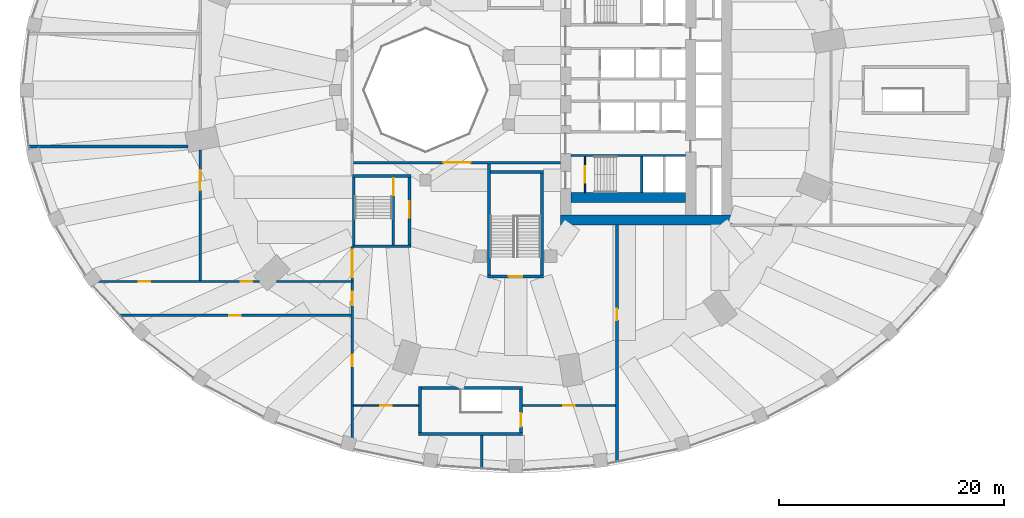
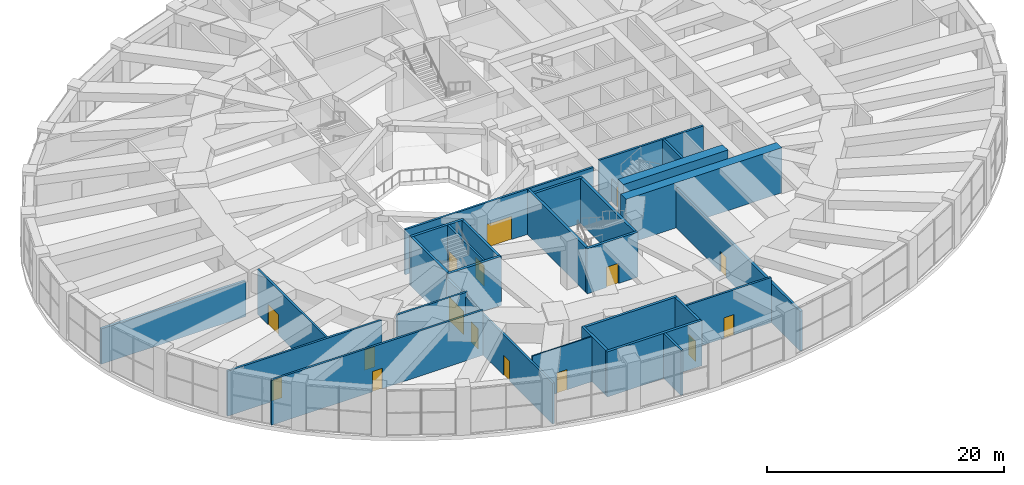
# One storey, part 21 of 30: 30 walls, 16 doors, 16 openings.
"""IFC4 building model written with IfcOpenShell, lengths in metres."""

from ifc_helpers import new_model, si_unit, direction, frame, frame_2d, origin, place, context, subcontext, project, spatial, rectangle, extrude, material, layer, layer_set, type_object, element, fill, save


model = new_model("IFC4")

# Units and contexts
model_context = context("Model", 3, precision=1e-05, world=origin(), true_north=direction((0.0, 1.0)))
body_context = subcontext(model_context, "Body", "Model", "MODEL_VIEW")
ifc_project = project(units=[si_unit("LENGTHUNIT", "METRE"), si_unit("AREAUNIT", "SQUARE_METRE"), si_unit("VOLUMEUNIT", "CUBIC_METRE"), si_unit("PLANEANGLEUNIT", "RADIAN"), si_unit("MASSUNIT", "GRAM", prefix="KILO")], contexts=[model_context])

# Site, building, storey
site_placement = place(None, origin())
site = spatial("IfcSite", under=ifc_project, at=site_placement, CompositionType="ELEMENT")
building_placement = place(site_placement, origin())
building = spatial("IfcBuilding", under=site, at=building_placement, Name="Taillehof Tower", CompositionType="ELEMENT")
storey_placement = place(building_placement, frame((0.0, 0.0, 12.5)))
storey = spatial("IfcBuildingStorey", under=building, at=storey_placement, Name="L02", CompositionType="ELEMENT", Elevation=12.5)

# Wall, opening, door
ifc_material_1 = material(Name="Calcium silicate blockwork", Category="masonry")
ifc_layer_1 = layer(ifc_material_1, 0.199951171875)
ifc_layer_set_1 = layer_set([ifc_layer_1], Name="Compartment wall EI 60 200 mm")
wall_type_1 = type_object("IfcWallType", Name="Compartment wall EI 60 200 mm", PredefinedType="PARTITIONING", material=ifc_layer_set_1)
wall_1_placement = place(storey_placement, frame((0.610107421875, -28.0, 0.0), z_axis=(0.0, 0.0, 1.0), x_axis=(1.0, 0.0, 0.0)))
wall_1 = element("IfcWall", 1, at=wall_1_placement, inside=storey, type_object=wall_type_1, Name="Wall L02-17 / L02-28", PredefinedType="PARTITIONING", context=body_context, shape_type="SweptSolid", body=[
    extrude(rectangle(XDim=8.264892578125, YDim=0.199951171875, at=frame_2d((4.13232421875, 0.0))), origin(), (0.0, 0.0, 1.0), 4.64990234375),
])
opening_1_placement = place(wall_1_placement, frame((3.633056640625, 0.0, 0.0)))
opening_1 = element("IfcOpeningElement", 2, at=opening_1_placement, cuts=wall_1, Name="Opening D0243", PredefinedType="OPENING", context=body_context, shape_type="SweptSolid", body=[
    extrude(rectangle(XDim=1.0, YDim=2.10009765625, at=frame_2d((0.5, 1.050048828125))), frame((0.0, 0.10986328125, 0.0), z_axis=(0.0, -1.0, 0.0), x_axis=(1.0, 0.0, 0.0)), (0.0, 0.0, 1.0), 0.219970703125),
])
ifc_material_2 = material(Name="Hollow metal door set")
door_type_1 = type_object("IfcDoorType", Name="Single door 1000 x 2100 FD60S", OperationType="SINGLE_SWING_LEFT", PredefinedType="DOOR", material=ifc_material_2)
door_1_placement = place(opening_1_placement, origin())
door_1 = element("IfcDoor", 3, at=door_1_placement, inside=storey, type_object=door_type_1, Name="Door D0243", OperationType="SINGLE_SWING_RIGHT", OverallHeight=2.10009765625, OverallWidth=1.0, PredefinedType="DOOR", context=body_context, shape_type="SweptSolid", body=[
    extrude(rectangle(XDim=1.0, YDim=2.10009765625, at=frame_2d((0.5, 1.050048828125))), frame((0.0, 0.02490234375, 0.0), z_axis=(0.0, -1.0, 0.0), x_axis=(1.0, 0.0, 0.0)), (0.0, 0.0, 1.0), 0.050048828125),
])
fill(opening_1, door_1)

wall_2_placement = place(storey_placement, frame((-35.2314453125, -20.0, 0.0), z_axis=(0.0, 0.0, 1.0), x_axis=(1.0, 0.0, 0.0)))
wall_2 = element("IfcWall", 4, at=wall_2_placement, inside=storey, type_object=wall_type_1, Name="Wall L02-23 / L02-25", PredefinedType="PARTITIONING", context=body_context, shape_type="SweptSolid", body=[
    extrude(rectangle(XDim=20.63134765625, YDim=0.199951171875, at=frame_2d((10.315673828125, 0.0))), origin(), (0.0, 0.0, 1.0), 4.64990234375),
])
opening_2_placement = place(wall_2_placement, frame((9.8154296875, 0.0, 0.0)))
opening_2 = element("IfcOpeningElement", 5, at=opening_2_placement, cuts=wall_2, Name="Opening D0245", PredefinedType="OPENING", context=body_context, shape_type="SweptSolid", body=[
    extrude(rectangle(XDim=1.0, YDim=2.10009765625, at=frame_2d((0.5, 1.050048828125))), frame((0.0, 0.10986328125, 0.0), z_axis=(0.0, -1.0, 0.0), x_axis=(1.0, 0.0, 0.0)), (0.0, 0.0, 1.0), 0.219970703125),
])
door_2_placement = place(opening_2_placement, origin())
door_2 = element("IfcDoor", 6, at=door_2_placement, inside=storey, type_object=door_type_1, Name="Door D0245", OperationType="SINGLE_SWING_RIGHT", OverallHeight=2.10009765625, OverallWidth=1.0, PredefinedType="DOOR", context=body_context, shape_type="SweptSolid", body=[
    extrude(rectangle(XDim=1.0, YDim=2.10009765625, at=frame_2d((0.5, 1.050048828125))), frame((0.0, 0.02490234375, 0.0), z_axis=(0.0, -1.0, 0.0), x_axis=(1.0, 0.0, 0.0)), (0.0, 0.0, 1.0), 0.050048828125),
])
fill(opening_2, door_2)

# Wall, openings, doors
wall_3_placement = place(storey_placement, frame((-37.808349609375, -17.0, 0.0), z_axis=(0.0, 0.0, 1.0), x_axis=(1.0, 0.0, 0.0)))
wall_3 = element("IfcWall", 7, at=wall_3_placement, inside=storey, type_object=wall_type_1, Name="Wall L02-18 / L02-23", PredefinedType="PARTITIONING", context=body_context, shape_type="SweptSolid", body=[
    extrude(rectangle(XDim=15.066650390625, YDim=0.199951171875, at=frame_2d((7.533203125, 0.0))), origin(), (0.0, 0.0, 1.0), 4.64990234375),
])
opening_3_placement = place(wall_3_placement, frame((4.3544921875, 0.0, 0.0)))
opening_3 = element("IfcOpeningElement", 8, at=opening_3_placement, cuts=wall_3, Name="Opening D0248", PredefinedType="OPENING", context=body_context, shape_type="SweptSolid", body=[
    extrude(rectangle(XDim=1.0, YDim=2.10009765625, at=frame_2d((0.5, 1.050048828125))), frame((0.0, 0.10986328125, 0.0), z_axis=(0.0, -1.0, 0.0), x_axis=(1.0, 0.0, 0.0)), (0.0, 0.0, 1.0), 0.219970703125),
])
opening_4_placement = place(wall_3_placement, frame((13.41650390625, 0.0, 0.0)))
opening_4 = element("IfcOpeningElement", 9, at=opening_4_placement, cuts=wall_3, Name="Opening D0249", PredefinedType="OPENING", context=body_context, shape_type="SweptSolid", body=[
    extrude(rectangle(XDim=1.0, YDim=2.10009765625, at=frame_2d((0.5, 1.050048828125))), frame((0.0, 0.10986328125, 0.0), z_axis=(0.0, -1.0, 0.0), x_axis=(1.0, 0.0, 0.0)), (0.0, 0.0, 1.0), 0.219970703125),
])
door_3_placement = place(opening_3_placement, origin())
door_3 = element("IfcDoor", 10, at=door_3_placement, inside=storey, type_object=door_type_1, Name="Door D0248", OperationType="SINGLE_SWING_RIGHT", OverallHeight=2.10009765625, OverallWidth=1.0, PredefinedType="DOOR", context=body_context, shape_type="SweptSolid", body=[
    extrude(rectangle(XDim=1.0, YDim=2.10009765625, at=frame_2d((0.5, 1.050048828125))), frame((0.0, 0.02490234375, 0.0), z_axis=(0.0, -1.0, 0.0), x_axis=(1.0, 0.0, 0.0)), (0.0, 0.0, 1.0), 0.050048828125),
])
fill(opening_3, door_3)
door_4_placement = place(opening_4_placement, origin())
door_4 = element("IfcDoor", 11, at=door_4_placement, inside=storey, type_object=door_type_1, Name="Door D0249", OperationType="SINGLE_SWING_LEFT", OverallHeight=2.10009765625, OverallWidth=1.0, PredefinedType="DOOR", context=body_context, shape_type="SweptSolid", body=[
    extrude(rectangle(XDim=1.0, YDim=2.10009765625, at=frame_2d((0.5, 1.050048828125))), frame((0.0, 0.02490234375, 0.0), z_axis=(0.0, -1.0, 0.0), x_axis=(1.0, 0.0, 0.0)), (0.0, 0.0, 1.0), 0.050048828125),
])
fill(opening_4, door_4)

# Wall
wall_4_placement = place(storey_placement, frame((-21.24609375, -17.0, 0.0), z_axis=(0.0, 0.0, 1.0), x_axis=(1.0, 0.0, 0.0)))
element("IfcWall", 12, at=wall_4_placement, inside=storey, type_object=wall_type_1, Name="Wall L02-21 / L02-23", PredefinedType="PARTITIONING", context=body_context, shape_type="SweptSolid", body=[
    extrude(rectangle(XDim=6.84619140625, YDim=0.199951171875, at=frame_2d((3.423095703125, 0.0))), origin(), (0.0, 0.0, 1.0), 4.64990234375),
])

# Wall, opening, door
wall_5_placement = place(storey_placement, frame((-14.39990234375, -6.449951171875, 0.0), z_axis=(0.0, 0.0, 1.0), x_axis=(1.0, 0.0, 0.0)))
wall_5 = element("IfcWall", 13, at=wall_5_placement, inside=storey, type_object=wall_type_1, Name="Wall L02-26 / L02-28", PredefinedType="PARTITIONING", context=body_context, shape_type="SweptSolid", body=[
    extrude(rectangle(XDim=18.40185546875, YDim=0.199951171875, at=frame_2d((9.200927734375, 0.0))), origin(), (0.0, 0.0, 1.0), 4.64990234375),
])
opening_5_placement = place(wall_5_placement, frame((8.0009765625, 0.0, 0.0)))
opening_5 = element("IfcOpeningElement", 14, at=opening_5_placement, cuts=wall_5, Name="Opening D0254", PredefinedType="OPENING", context=body_context, shape_type="SweptSolid", body=[
    extrude(rectangle(XDim=2.39990234375, YDim=2.39990234375, at=frame_2d((1.199951171875, 1.199951171875))), frame((0.0, 0.10986328125, 0.0), z_axis=(0.0, -1.0, 0.0), x_axis=(1.0, 0.0, 0.0)), (0.0, 0.0, 1.0), 0.219970703125),
])
ifc_material_3 = material(Name="Glazed aluminium door set", Category="aluminium")
door_type_2 = type_object("IfcDoorType", Name="Glazed double door 2400 x 2400 FD60S", OperationType="DOUBLE_DOOR_SINGLE_SWING", PredefinedType="DOOR", material=ifc_material_3)
door_5_placement = place(opening_5_placement, origin())
door_5 = element("IfcDoor", 15, at=door_5_placement, inside=storey, type_object=door_type_2, Name="Door D0254", OperationType="DOUBLE_DOOR_SINGLE_SWING", OverallHeight=2.39990234375, OverallWidth=2.39990234375, PredefinedType="DOOR", context=body_context, shape_type="SweptSolid", body=[
    extrude(rectangle(XDim=2.39990234375, YDim=2.39990234375, at=frame_2d((1.199951171875, 1.199951171875))), frame((0.0, 0.02490234375, 0.0), z_axis=(0.0, -1.0, 0.0), x_axis=(1.0, 0.0, 0.0)), (0.0, 0.0, 1.0), 0.050048828125),
])
fill(opening_5, door_5)

wall_6_placement = place(storey_placement, frame((-28.0, -16.89990234375, 0.0), z_axis=(0.0, 0.0, 1.0), x_axis=(0.0, 1.0, 0.0)))
wall_6 = element("IfcWall", 16, at=wall_6_placement, inside=storey, type_object=wall_type_1, Name="Wall L02-18 / L02-21", PredefinedType="PARTITIONING", context=body_context, shape_type="SweptSolid", body=[
    extrude(rectangle(XDim=11.58447265625, YDim=0.199951171875, at=frame_2d((5.792236328125, 0.0))), origin(), (0.0, 0.0, 1.0), 4.64990234375),
])
opening_6_placement = place(wall_6_placement, frame((8.0, 0.0, 0.0)))
opening_6 = element("IfcOpeningElement", 17, at=opening_6_placement, cuts=wall_6, Name="Opening D0253", PredefinedType="OPENING", context=body_context, shape_type="SweptSolid", body=[
    extrude(rectangle(XDim=1.800048828125, YDim=2.10009765625, at=frame_2d((0.89990234375, 1.050048828125))), frame((0.0, 0.10986328125, 0.0), z_axis=(0.0, -1.0, 0.0), x_axis=(1.0, 0.0, 0.0)), (0.0, 0.0, 1.0), 0.219970703125),
])
ifc_material_4 = material(Name="Hollow metal door set")
door_type_3 = type_object("IfcDoorType", Name="Double door 1800 x 2100 FD60S", OperationType="DOUBLE_DOOR_SINGLE_SWING", PredefinedType="DOOR", material=ifc_material_4)
door_6_placement = place(opening_6_placement, origin())
door_6 = element("IfcDoor", 18, at=door_6_placement, inside=storey, type_object=door_type_3, Name="Door D0253", OperationType="DOUBLE_DOOR_SINGLE_SWING", OverallHeight=2.10009765625, OverallWidth=1.800048828125, PredefinedType="DOOR", context=body_context, shape_type="SweptSolid", body=[
    extrude(rectangle(XDim=1.800048828125, YDim=2.10009765625, at=frame_2d((0.89990234375, 1.050048828125))), frame((0.0, 0.02490234375, 0.0), z_axis=(0.0, -1.0, 0.0), x_axis=(1.0, 0.0, 0.0)), (0.0, 0.0, 1.0), 0.050048828125),
])
fill(opening_6, door_6)

# Wall, openings, doors
wall_7_placement = place(storey_placement, frame((-14.5, -31.802978515625, 0.0), z_axis=(0.0, 0.0, 1.0), x_axis=(0.0, 1.0, 0.0)))
wall_7 = element("IfcWall", 19, at=wall_7_placement, inside=storey, type_object=wall_type_1, Name="Wall L02-16 / L02-25", PredefinedType="PARTITIONING", context=body_context, shape_type="SweptSolid", body=[
    extrude(rectangle(XDim=14.702880859375, YDim=0.199951171875, at=frame_2d((7.3515625, 0.0))), origin(), (0.0, 0.0, 1.0), 4.199951171875),
])
opening_7_placement = place(wall_7_placement, frame((7.302978515625, 0.0, 0.0)))
opening_7 = element("IfcOpeningElement", 20, at=opening_7_placement, cuts=wall_7, Name="Opening D0244", PredefinedType="OPENING", context=body_context, shape_type="SweptSolid", body=[
    extrude(rectangle(XDim=1.0, YDim=2.10009765625, at=frame_2d((0.5, 1.050048828125))), frame((0.0, 0.10986328125, 0.0), z_axis=(0.0, -1.0, 0.0), x_axis=(1.0, 0.0, 0.0)), (0.0, 0.0, 1.0), 0.219970703125),
])
opening_8_placement = place(wall_7_placement, frame((12.703125, 0.0, 0.0)))
opening_8 = element("IfcOpeningElement", 21, at=opening_8_placement, cuts=wall_7, Name="Opening D0247", PredefinedType="OPENING", context=body_context, shape_type="SweptSolid", body=[
    extrude(rectangle(XDim=1.199951171875, YDim=2.10009765625, at=frame_2d((0.60009765625, 1.050048828125))), frame((0.0, 0.10986328125, 0.0), z_axis=(0.0, -1.0, 0.0), x_axis=(1.0, 0.0, 0.0)), (0.0, 0.0, 1.0), 0.219970703125),
])
door_7_placement = place(opening_7_placement, origin())
door_7 = element("IfcDoor", 22, at=door_7_placement, inside=storey, type_object=door_type_1, Name="Door D0244", OperationType="SINGLE_SWING_LEFT", OverallHeight=2.10009765625, OverallWidth=1.0, PredefinedType="DOOR", context=body_context, shape_type="SweptSolid", body=[
    extrude(rectangle(XDim=1.0, YDim=2.10009765625, at=frame_2d((0.5, 1.050048828125))), frame((0.0, 0.02490234375, 0.0), z_axis=(0.0, -1.0, 0.0), x_axis=(1.0, 0.0, 0.0)), (0.0, 0.0, 1.0), 0.050048828125),
])
fill(opening_7, door_7)
ifc_material_5 = material(Name="Hollow metal door set")
door_type_4 = type_object("IfcDoorType", Name="Single door 1200 x 2100 FD60S", OperationType="SINGLE_SWING_LEFT", PredefinedType="DOOR", material=ifc_material_5)
door_8_placement = place(opening_8_placement, origin())
door_8 = element("IfcDoor", 23, at=door_8_placement, inside=storey, type_object=door_type_4, Name="Door D0247", OperationType="SINGLE_SWING_LEFT", OverallHeight=2.10009765625, OverallWidth=1.199951171875, PredefinedType="DOOR", context=body_context, shape_type="SweptSolid", body=[
    extrude(rectangle(XDim=1.199951171875, YDim=2.10009765625, at=frame_2d((0.60009765625, 1.050048828125))), frame((0.0, 0.02490234375, 0.0), z_axis=(0.0, -1.0, 0.0), x_axis=(1.0, 0.0, 0.0)), (0.0, 0.0, 1.0), 0.050048828125),
])
fill(opening_8, door_8)

# Wall, opening, door
wall_8_placement = place(storey_placement, frame((-14.5, -16.89990234375, 0.0), z_axis=(0.0, 0.0, 1.0), x_axis=(0.0, 1.0, 0.0)))
wall_8 = element("IfcWall", 24, at=wall_8_placement, inside=storey, type_object=wall_type_1, Name="Wall L02-21 / L02-28", PredefinedType="PARTITIONING", context=body_context, shape_type="SweptSolid", body=[
    extrude(rectangle(XDim=3.0, YDim=0.199951171875, at=frame_2d((1.5, 0.0))), origin(), (0.0, 0.0, 1.0), 4.199951171875),
])
opening_9_placement = place(wall_8_placement, frame((0.300048828125, 0.0, 0.0)))
opening_9 = element("IfcOpeningElement", 25, at=opening_9_placement, cuts=wall_8, Name="Opening D0251", PredefinedType="OPENING", context=body_context, shape_type="SweptSolid", body=[
    extrude(rectangle(XDim=2.39990234375, YDim=2.39990234375, at=frame_2d((1.199951171875, 1.199951171875))), frame((0.0, 0.10986328125, 0.0), z_axis=(0.0, -1.0, 0.0), x_axis=(1.0, 0.0, 0.0)), (0.0, 0.0, 1.0), 0.219970703125),
])
door_9_placement = place(opening_9_placement, origin())
door_9 = element("IfcDoor", 26, at=door_9_placement, inside=storey, type_object=door_type_2, Name="Door D0251", OperationType="DOUBLE_DOOR_SINGLE_SWING", OverallHeight=2.39990234375, OverallWidth=2.39990234375, PredefinedType="DOOR", context=body_context, shape_type="SweptSolid", body=[
    extrude(rectangle(XDim=2.39990234375, YDim=2.39990234375, at=frame_2d((1.199951171875, 1.199951171875))), frame((0.0, 0.02490234375, 0.0), z_axis=(0.0, -1.0, 0.0), x_axis=(1.0, 0.0, 0.0)), (0.0, 0.0, 1.0), 0.050048828125),
])
fill(opening_9, door_9)

# Walls
wall_9_placement = place(storey_placement, frame((-3.0, -33.6044921875, 0.0), z_axis=(0.0, 0.0, 1.0), x_axis=(0.0, 1.0, 0.0)))
element("IfcWall", 27, at=wall_9_placement, inside=storey, type_object=wall_type_1, Name="Wall L02-16 / L02-17", PredefinedType="PARTITIONING", context=body_context, shape_type="SweptSolid", body=[
    extrude(rectangle(XDim=2.929443359375, YDim=0.199951171875, at=frame_2d((1.46484375, 0.0))), origin(), (0.0, 0.0, 1.0), 4.64990234375),
])
ifc_material_6 = material(Name="Concrete C80/95", Category="concrete")
ifc_layer_2 = layer(ifc_material_6, 0.89990234375)
ifc_layer_set_2 = layer_set([ifc_layer_2], Name="Core wall C80/95 900")
wall_type_2 = type_object("IfcWallType", Name="Core wall C80/95 900", PredefinedType="SHEAR", material=ifc_layer_set_2)
wall_10_placement = place(storey_placement, frame((4.0, -11.550048828125, 0.0), z_axis=(0.0, 0.0, 1.0), x_axis=(1.0, 0.0, 0.0)))
element("IfcWall", 28, at=wall_10_placement, inside=storey, type_object=wall_type_2, Name="Core wall CW04", PredefinedType="SHEAR", context=body_context, shape_type="SweptSolid", body=[
    extrude(rectangle(XDim=15.199951171875, YDim=0.89990234375, at=frame_2d((7.60009765625, 0.0))), origin(), (0.0, 0.0, 1.0), 4.64990234375),
])
wall_11_placement = place(storey_placement, frame((4.89990234375, -9.550048828125, 0.0), z_axis=(0.0, 0.0, 1.0), x_axis=(1.0, 0.0, 0.0)))
element("IfcWall", 29, at=wall_11_placement, inside=storey, type_object=wall_type_2, Name="Core wall CW07", PredefinedType="SHEAR", context=body_context, shape_type="SweptSolid", body=[
    extrude(rectangle(XDim=10.2001953125, YDim=0.89990234375, at=frame_2d((5.10009765625, 0.0))), origin(), (0.0, 0.0, 1.0), 4.64990234375),
])
ifc_material_7 = material(Name="Calcium silicate blockwork", Category="masonry")
ifc_layer_3 = layer(ifc_material_7, 0.25)
ifc_layer_set_3 = layer_set([ifc_layer_3], Name="Fire-resisting wall EI 120 250 mm")
wall_type_3 = type_object("IfcWallType", Name="Fire-resisting wall EI 120 250 mm", PredefinedType="PARTITIONING", material=ifc_layer_set_3)
wall_12_placement = place(storey_placement, frame((-43.205078125, -5.0, 0.0), z_axis=(0.0, 0.0, 1.0), x_axis=(1.0, 0.0, 0.0)))
element("IfcWall", 30, at=wall_12_placement, inside=storey, type_object=wall_type_3, Name="Wall L02-18 / L02-20", PredefinedType="PARTITIONING", context=body_context, shape_type="SweptSolid", body=[
    extrude(rectangle(XDim=14.10498046875, YDim=0.25, at=frame_2d((7.052490234375, 0.0))), origin(), (0.0, 0.0, 1.0), 3.64990234375),
])

# Wall, opening, door
wall_13_placement = place(storey_placement, frame((9.0, -32.97021484375, 0.0), z_axis=(0.0, 0.0, 1.0), x_axis=(0.0, 1.0, 0.0)))
wall_13 = element("IfcWall", 31, at=wall_13_placement, inside=storey, type_object=wall_type_3, Name="Wall L02-17 / L02-27", PredefinedType="PARTITIONING", context=body_context, shape_type="SweptSolid", body=[
    extrude(rectangle(XDim=20.97216796875, YDim=0.25, at=frame_2d((10.486083984375, 0.0))), origin(), (0.0, 0.0, 1.0), 4.10009765625),
])
opening_10_placement = place(wall_13_placement, frame((12.5341796875, 0.0, 0.0)))
opening_10 = element("IfcOpeningElement", 32, at=opening_10_placement, cuts=wall_13, Name="Opening D0246", PredefinedType="OPENING", context=body_context, shape_type="SweptSolid", body=[
    extrude(rectangle(XDim=1.0, YDim=2.10009765625, at=frame_2d((0.5, 1.050048828125))), frame((0.0, 0.135009765625, 0.0), z_axis=(0.0, -1.0, 0.0), x_axis=(1.0, 0.0, 0.0)), (0.0, 0.0, 1.0), 0.27001953125),
])
ifc_material_8 = material(Name="Hollow metal door set")
door_type_5 = type_object("IfcDoorType", Name="Single door 1000 x 2100 FD120S", OperationType="SINGLE_SWING_LEFT", PredefinedType="DOOR", material=ifc_material_8)
door_10_placement = place(opening_10_placement, origin())
door_10 = element("IfcDoor", 33, at=door_10_placement, inside=storey, type_object=door_type_5, Name="Door D0246", OperationType="SINGLE_SWING_LEFT", OverallHeight=2.10009765625, OverallWidth=1.0, PredefinedType="DOOR", context=body_context, shape_type="SweptSolid", body=[
    extrude(rectangle(XDim=1.0, YDim=2.10009765625, at=frame_2d((0.5, 1.050048828125))), frame((0.0, 0.02490234375, 0.0), z_axis=(0.0, -1.0, 0.0), x_axis=(1.0, 0.0, 0.0)), (0.0, 0.0, 1.0), 0.050048828125),
])
fill(opening_10, door_10)

ifc_material_9 = material(Name="Gypsum board partition on steel studs", Category="steel")
ifc_layer_4 = layer(ifc_material_9, 0.125)
ifc_layer_set_4 = layer_set([ifc_layer_4], Name="Partition wall EI 30 125 mm")
wall_type_4 = type_object("IfcWallType", Name="Partition wall EI 30 125 mm", PredefinedType="PARTITIONING", material=ifc_layer_set_4)
wall_14_placement = place(storey_placement, frame((-14.39990234375, -28.0, 0.0), z_axis=(0.0, 0.0, 1.0), x_axis=(1.0, 0.0, 0.0)))
wall_14 = element("IfcWall", 34, at=wall_14_placement, inside=storey, type_object=wall_type_4, Name="Wall L02-16 / L02-28", PredefinedType="PARTITIONING", context=body_context, shape_type="SweptSolid", body=[
    extrude(rectangle(XDim=5.789794921875, YDim=0.125, at=frame_2d((2.89501953125, 0.0))), origin(), (0.0, 0.0, 1.0), 4.64990234375),
])
opening_11_placement = place(wall_14_placement, frame((2.39501953125, 0.0, 0.0)))
opening_11 = element("IfcOpeningElement", 35, at=opening_11_placement, cuts=wall_14, Name="Opening D0242", PredefinedType="OPENING", context=body_context, shape_type="SweptSolid", body=[
    extrude(rectangle(XDim=1.0, YDim=2.10009765625, at=frame_2d((0.5, 1.050048828125))), frame((0.0, 0.072509765625, 0.0), z_axis=(0.0, -1.0, 0.0), x_axis=(1.0, 0.0, 0.0)), (0.0, 0.0, 1.0), 0.14501953125),
])
ifc_material_10 = material(Name="Hollow metal door set")
door_type_6 = type_object("IfcDoorType", Name="Single door 1000 x 2100 FD30S", OperationType="SINGLE_SWING_LEFT", PredefinedType="DOOR", material=ifc_material_10)
door_11_placement = place(opening_11_placement, origin())
door_11 = element("IfcDoor", 36, at=door_11_placement, inside=storey, type_object=door_type_6, Name="Door D0242", OperationType="SINGLE_SWING_RIGHT", OverallHeight=2.10009765625, OverallWidth=1.0, PredefinedType="DOOR", context=body_context, shape_type="SweptSolid", body=[
    extrude(rectangle(XDim=1.0, YDim=2.10009765625, at=frame_2d((0.5, 1.050048828125))), frame((0.0, 0.02490234375, 0.0), z_axis=(0.0, -1.0, 0.0), x_axis=(1.0, 0.0, 0.0)), (0.0, 0.0, 1.0), 0.050048828125),
])
fill(opening_11, door_11)

# Walls
ifc_material_11 = material(Name="Concrete C50/60", Category="concrete")
ifc_layer_5 = layer(ifc_material_11, 0.199951171875)
ifc_layer_set_5 = layer_set([ifc_layer_5], Name="Shaft wall C50/60 200")
wall_type_5 = type_object("IfcWallType", Name="Shaft wall C50/60 200", PredefinedType="SHEAR", material=ifc_layer_set_5)
wall_15_placement = place(storey_placement, frame((4.89990234375, -5.800048828125, 0.0), z_axis=(0.0, 0.0, 1.0), x_axis=(1.0, 0.0, 0.0)))
element("IfcWall", 37, at=wall_15_placement, inside=storey, type_object=wall_type_5, Name="Shaft wall SW", PredefinedType="SHEAR", context=body_context, shape_type="SweptSolid", body=[
    extrude(rectangle(XDim=10.2001953125, YDim=0.199951171875, at=frame_2d((5.10009765625, 0.0))), origin(), (0.0, 0.0, 1.0), 4.64990234375),
])
wall_16_placement = place(storey_placement, frame((11.199951171875, -9.10009765625, 0.0), z_axis=(0.0, 0.0, 1.0), x_axis=(0.0, 1.0, 0.0)))
element("IfcWall", 38, at=wall_16_placement, inside=storey, type_object=wall_type_5, Name="Shaft wall SW", PredefinedType="SHEAR", context=body_context, shape_type="SweptSolid", body=[
    extrude(rectangle(XDim=3.2001953125, YDim=0.199951171875, at=frame_2d((1.60009765625, 0.0))), origin(), (0.0, 0.0, 1.0), 4.64990234375),
])

# Wall, opening, door
wall_17_placement = place(storey_placement, frame((-10.85009765625, -13.75, 0.0), z_axis=(0.0, 0.0, 1.0), x_axis=(0.0, 1.0, 0.0)))
wall_17 = element("IfcWall", 39, at=wall_17_placement, inside=storey, type_object=wall_type_5, Name="Shaft wall SW", PredefinedType="SHEAR", context=body_context, shape_type="SweptSolid", body=[
    extrude(rectangle(XDim=6.0, YDim=0.199951171875, at=frame_2d((3.0, 0.0))), origin(), (0.0, 0.0, 1.0), 4.64990234375),
])
opening_12_placement = place(wall_17_placement, frame((4.39990234375, 0.0, 0.0)))
opening_12 = element("IfcOpeningElement", 40, at=opening_12_placement, cuts=wall_17, Name="Opening D0211", PredefinedType="OPENING", context=body_context, shape_type="SweptSolid", body=[
    extrude(rectangle(XDim=1.5, YDim=2.10009765625, at=frame_2d((0.75, 1.050048828125))), frame((0.0, 0.10986328125, 0.0), z_axis=(0.0, -1.0, 0.0), x_axis=(1.0, 0.0, 0.0)), (0.0, 0.0, 1.0), 0.219970703125),
])
ifc_material_12 = material(Name="Steel-faced fire door", Category="steel")
door_type_7 = type_object("IfcDoorType", Name="Stair door 1500x2100", OperationType="DOUBLE_DOOR_SINGLE_SWING", PredefinedType="DOOR", material=ifc_material_12)
door_12_placement = place(opening_12_placement, origin())
door_12 = element("IfcDoor", 41, at=door_12_placement, inside=storey, type_object=door_type_7, Name="Stair lobby door S4", OperationType="DOUBLE_DOOR_SINGLE_SWING", OverallHeight=2.10009765625, OverallWidth=1.5, PredefinedType="DOOR", context=body_context, shape_type="SweptSolid", body=[
    extrude(rectangle(XDim=1.5, YDim=2.10009765625, at=frame_2d((0.75, 1.050048828125))), frame((0.0, 0.02490234375, 0.0), z_axis=(0.0, -1.0, 0.0), x_axis=(1.0, 0.0, 0.0)), (0.0, 0.0, 1.0), 0.050048828125),
])
fill(opening_12, door_12)

ifc_material_13 = material(Name="Concrete C50/60", Category="concrete")
ifc_layer_6 = layer(ifc_material_13, 0.1201171875)
ifc_layer_set_6 = layer_set([ifc_layer_6], Name="Stair lobby wall C50/60 120")
wall_type_6 = type_object("IfcWallType", Name="Stair lobby wall C50/60 120", PredefinedType="SHEAR", material=ifc_layer_set_6)
wall_18_placement = place(storey_placement, frame((6.159912109375, -9.10009765625, 0.0), z_axis=(0.0, 0.0, 1.0), x_axis=(0.0, 1.0, 0.0)))
wall_18 = element("IfcWall", 42, at=wall_18_placement, inside=storey, type_object=wall_type_6, Name="Compartment wall SW", PredefinedType="SHEAR", context=body_context, shape_type="SweptSolid", body=[
    extrude(rectangle(XDim=3.2001953125, YDim=0.1201171875, at=frame_2d((1.60009765625, 0.0))), origin(), (0.0, 0.0, 1.0), 2.2900390625),
])
opening_13_placement = place(wall_18_placement, frame((0.85009765625, 0.0, 0.0)))
opening_13 = element("IfcOpeningElement", 43, at=opening_13_placement, cuts=wall_18, Name="Opening D0209", PredefinedType="OPENING", context=body_context, shape_type="SweptSolid", body=[
    extrude(rectangle(XDim=1.5, YDim=2.10009765625, at=frame_2d((0.75, 1.050048828125))), frame((0.0, 0.070068359375, 0.0), z_axis=(0.0, -1.0, 0.0), x_axis=(1.0, 0.0, 0.0)), (0.0, 0.0, 1.0), 0.14013671875),
])
door_13_placement = place(opening_13_placement, origin())
door_13 = element("IfcDoor", 44, at=door_13_placement, inside=storey, type_object=door_type_7, Name="Stair lobby door S2", OperationType="DOUBLE_DOOR_SINGLE_SWING", OverallHeight=2.10009765625, OverallWidth=1.5, PredefinedType="DOOR", context=body_context, shape_type="SweptSolid", body=[
    extrude(rectangle(XDim=1.5, YDim=2.10009765625, at=frame_2d((0.75, 1.050048828125))), frame((0.0, 0.02490234375, 0.0), z_axis=(0.0, -1.0, 0.0), x_axis=(1.0, 0.0, 0.0)), (0.0, 0.0, 1.0), 0.050048828125),
])
fill(opening_13, door_13)

# Wall
ifc_material_14 = material(Name="Concrete C50/60", Category="concrete")
ifc_layer_7 = layer(ifc_material_14, 0.25)
ifc_layer_set_7 = layer_set([ifc_layer_7], Name="Stair wall C50/60 250")
wall_type_7 = type_object("IfcWallType", Name="Stair wall C50/60 250", PredefinedType="SHEAR", material=ifc_layer_set_7)
wall_19_placement = place(storey_placement, frame((-14.375, -13.75, -0.409912109375), z_axis=(0.0, 0.0, 1.0), x_axis=(0.0, 1.0, 0.0)))
element("IfcWall", 45, at=wall_19_placement, inside=storey, type_object=wall_type_7, Name="Stair wall SC", PredefinedType="SHEAR", context=body_context, shape_type="SweptSolid", body=[
    extrude(rectangle(XDim=6.0, YDim=0.25, at=frame_2d((3.0, 0.0))), origin(), (0.0, 0.0, 1.0), 5.059814453125),
])

# Wall, opening, door
wall_20_placement = place(storey_placement, frame((-9.425048828125, -13.75, -0.409912109375), z_axis=(0.0, 0.0, 1.0), x_axis=(0.0, 1.0, 0.0)))
wall_20 = element("IfcWall", 46, at=wall_20_placement, inside=storey, type_object=wall_type_7, Name="Stair wall SC", PredefinedType="SHEAR", context=body_context, shape_type="SweptSolid", body=[
    extrude(rectangle(XDim=6.0, YDim=0.25, at=frame_2d((3.0, 0.0))), origin(), (0.0, 0.0, 1.0), 5.059814453125),
])
opening_14_placement = place(wall_20_placement, frame((2.39990234375, 0.0, 0.409912109375)))
opening_14 = element("IfcOpeningElement", 47, at=opening_14_placement, cuts=wall_20, Name="Opening D0218", PredefinedType="OPENING", context=body_context, shape_type="SweptSolid", body=[
    extrude(rectangle(XDim=1.5, YDim=2.10009765625, at=frame_2d((0.75, 1.050048828125))), frame((0.0, 0.135009765625, 0.0), z_axis=(0.0, -1.0, 0.0), x_axis=(1.0, 0.0, 0.0)), (0.0, 0.0, 1.0), 0.27001953125),
])
door_14_placement = place(opening_14_placement, origin())
door_14 = element("IfcDoor", 48, at=door_14_placement, inside=storey, type_object=door_type_7, Name="Stair door S4", OperationType="DOUBLE_DOOR_SINGLE_SWING", OverallHeight=2.10009765625, OverallWidth=1.5, PredefinedType="DOOR", context=body_context, shape_type="SweptSolid", body=[
    extrude(rectangle(XDim=1.5, YDim=2.10009765625, at=frame_2d((0.75, 1.050048828125))), frame((0.0, 0.02490234375, 0.0), z_axis=(0.0, -1.0, 0.0), x_axis=(1.0, 0.0, 0.0)), (0.0, 0.0, 1.0), 0.050048828125),
])
fill(opening_14, door_14)

# Walls
for number, where, z_axis, x_axis, name in (
    (49, (-14.5, -7.625, -0.409912109375), (0.0, 0.0, 1.0), (1.0, 0.0, 0.0), "Stair wall SC"),
    (50, (-14.5, -13.875, -0.409912109375), (0.0, 0.0, 1.0), (1.0, 0.0, 0.0), "Stair wall SC"),
):
    element("IfcWall", number, at=place(storey_placement, frame(where, z_axis=z_axis, x_axis=x_axis)), inside=storey, type_object=wall_type_7, Name=name, PredefinedType="SHEAR", context=body_context, shape_type="SweptSolid", body=[
        extrude(rectangle(XDim=5.199951171875, YDim=0.25, at=frame_2d((2.60009765625, 0.0))), origin(), (0.0, 0.0, 1.0), 5.059814453125),
    ])
ifc_material_15 = material(Name="Concrete C40/50", Category="concrete")
ifc_layer_8 = layer(ifc_material_15, 0.25)
ifc_layer_set_8 = layer_set([ifc_layer_8], Name="Stair wall EI 120 250 mm")
wall_type_8 = type_object("IfcWallType", Name="Stair wall EI 120 250 mm", PredefinedType="SOLIDWALL", material=ifc_layer_set_8)
wall_21_placement = place(storey_placement, frame((-8.610107421875, -30.550048828125, 0.0), z_axis=(0.0, 0.0, 1.0), x_axis=(1.0, 0.0, 0.0)))
element("IfcWall", 51, at=wall_21_placement, inside=storey, type_object=wall_type_8, Name="Wall L02-04 / L02-16", PredefinedType="SOLIDWALL", context=body_context, shape_type="SweptSolid", body=[
    extrude(rectangle(XDim=9.22021484375, YDim=0.25, at=frame_2d((4.610107421875, 0.0))), origin(), (0.0, 0.0, 1.0), 4.64990234375),
])
wall_22_placement = place(storey_placement, frame((-8.360107421875, -26.449951171875, 0.0), z_axis=(0.0, 0.0, 1.0), x_axis=(1.0, 0.0, 0.0)))
element("IfcWall", 52, at=wall_22_placement, inside=storey, type_object=wall_type_8, Name="Wall L02-04 / L02-28", PredefinedType="SOLIDWALL", context=body_context, shape_type="SweptSolid", body=[
    extrude(rectangle(XDim=8.97021484375, YDim=0.25, at=frame_2d((4.485107421875, 0.0))), origin(), (0.0, 0.0, 1.0), 4.64990234375),
])

# Wall, opening, door
wall_23_placement = place(storey_placement, frame((-2.47509765625, -16.544921875, 0.0), z_axis=(0.0, 0.0, 1.0), x_axis=(1.0, 0.0, 0.0)))
wall_23 = element("IfcWall", 53, at=wall_23_placement, inside=storey, type_object=wall_type_8, Name="Wall L02-02 / L02-28", PredefinedType="SOLIDWALL", context=body_context, shape_type="SweptSolid", body=[
    extrude(rectangle(XDim=4.9501953125, YDim=0.25, at=frame_2d((2.47509765625, 0.0))), origin(), (0.0, 0.0, 1.0), 4.64990234375),
])
opening_15_placement = place(wall_23_placement, frame((1.875, 0.0, 0.0)))
opening_15 = element("IfcOpeningElement", 54, at=opening_15_placement, cuts=wall_23, Name="Opening D0250", PredefinedType="OPENING", context=body_context, shape_type="SweptSolid", body=[
    extrude(rectangle(XDim=1.199951171875, YDim=2.10009765625, at=frame_2d((0.60009765625, 1.050048828125))), frame((0.0, 0.135009765625, 0.0), z_axis=(0.0, -1.0, 0.0), x_axis=(1.0, 0.0, 0.0)), (0.0, 0.0, 1.0), 0.27001953125),
])
ifc_material_16 = material(Name="Hollow metal door set")
door_type_8 = type_object("IfcDoorType", Name="Single door 1200 x 2100 FD120S", OperationType="SINGLE_SWING_LEFT", PredefinedType="DOOR", material=ifc_material_16)
door_15_placement = place(opening_15_placement, origin())
door_15 = element("IfcDoor", 55, at=door_15_placement, inside=storey, type_object=door_type_8, Name="Door D0250", OperationType="SINGLE_SWING_RIGHT", OverallHeight=2.10009765625, OverallWidth=1.199951171875, PredefinedType="DOOR", context=body_context, shape_type="SweptSolid", body=[
    extrude(rectangle(XDim=1.199951171875, YDim=2.10009765625, at=frame_2d((0.60009765625, 1.050048828125))), frame((0.0, 0.02490234375, 0.0), z_axis=(0.0, -1.0, 0.0), x_axis=(1.0, 0.0, 0.0)), (0.0, 0.0, 1.0), 0.050048828125),
])
fill(opening_15, door_15)

# Walls
wall_24_placement = place(storey_placement, frame((-2.22509765625, -7.27490234375, 0.0), z_axis=(0.0, 0.0, 1.0), x_axis=(1.0, 0.0, 0.0)))
element("IfcWall", 56, at=wall_24_placement, inside=storey, type_object=wall_type_8, Name="Wall L02-02 / L02-28", PredefinedType="SOLIDWALL", context=body_context, shape_type="SweptSolid", body=[
    extrude(rectangle(XDim=4.7001953125, YDim=0.25, at=frame_2d((2.35009765625, 0.0))), origin(), (0.0, 0.0, 1.0), 4.64990234375),
])
wall_25_placement = place(storey_placement, frame((-8.485107421875, -30.425048828125, 0.0), z_axis=(0.0, 0.0, 1.0), x_axis=(0.0, 1.0, 0.0)))
element("IfcWall", 57, at=wall_25_placement, inside=storey, type_object=wall_type_8, Name="Wall L02-04 / L02-16", PredefinedType="SOLIDWALL", context=body_context, shape_type="SweptSolid", body=[
    extrude(rectangle(XDim=4.10009765625, YDim=0.25, at=frame_2d((2.050048828125, 0.0))), origin(), (0.0, 0.0, 1.0), 4.64990234375),
])
wall_26_placement = place(storey_placement, frame((-2.35009765625, -16.419921875, 0.0), z_axis=(0.0, 0.0, 1.0), x_axis=(0.0, 1.0, 0.0)))
element("IfcWall", 58, at=wall_26_placement, inside=storey, type_object=wall_type_8, Name="Wall L02-02 / L02-28", PredefinedType="SOLIDWALL", context=body_context, shape_type="SweptSolid", body=[
    extrude(rectangle(XDim=9.869873046875, YDim=0.25, at=frame_2d((4.93505859375, 0.0))), origin(), (0.0, 0.0, 1.0), 4.64990234375),
])

# Wall, opening, door
wall_27_placement = place(storey_placement, frame((0.485107421875, -30.425048828125, 0.0), z_axis=(0.0, 0.0, 1.0), x_axis=(0.0, 1.0, 0.0)))
wall_27 = element("IfcWall", 59, at=wall_27_placement, inside=storey, type_object=wall_type_8, Name="Wall L02-04 / L02-17", PredefinedType="SOLIDWALL", context=body_context, shape_type="SweptSolid", body=[
    extrude(rectangle(XDim=3.85009765625, YDim=0.25, at=frame_2d((1.925048828125, 0.0))), origin(), (0.0, 0.0, 1.0), 4.64990234375),
])
opening_16_placement = place(wall_27_placement, frame((0.550048828125, 0.0, 0.0)))
opening_16 = element("IfcOpeningElement", 60, at=opening_16_placement, cuts=wall_27, Name="Opening D0241", PredefinedType="OPENING", context=body_context, shape_type="SweptSolid", body=[
    extrude(rectangle(XDim=1.199951171875, YDim=2.10009765625, at=frame_2d((0.60009765625, 1.050048828125))), frame((0.0, 0.135009765625, 0.0), z_axis=(0.0, -1.0, 0.0), x_axis=(1.0, 0.0, 0.0)), (0.0, 0.0, 1.0), 0.27001953125),
])
door_16_placement = place(opening_16_placement, origin())
door_16 = element("IfcDoor", 61, at=door_16_placement, inside=storey, type_object=door_type_8, Name="Door D0241", OperationType="SINGLE_SWING_LEFT", OverallHeight=2.10009765625, OverallWidth=1.199951171875, PredefinedType="DOOR", context=body_context, shape_type="SweptSolid", body=[
    extrude(rectangle(XDim=1.199951171875, YDim=2.10009765625, at=frame_2d((0.60009765625, 1.050048828125))), frame((0.0, 0.02490234375, 0.0), z_axis=(0.0, -1.0, 0.0), x_axis=(1.0, 0.0, 0.0)), (0.0, 0.0, 1.0), 0.050048828125),
])
fill(opening_16, door_16)

# Wall
wall_28_placement = place(storey_placement, frame((2.35009765625, -16.419921875, 0.0), z_axis=(0.0, 0.0, 1.0), x_axis=(0.0, 1.0, 0.0)))
element("IfcWall", 62, at=wall_28_placement, inside=storey, type_object=wall_type_8, Name="Wall L02-02 / L02-28", PredefinedType="SOLIDWALL", context=body_context, shape_type="SweptSolid", body=[
    extrude(rectangle(XDim=9.02001953125, YDim=0.25, at=frame_2d((4.510009765625, 0.0))), origin(), (0.0, 0.0, 1.0), 4.64990234375),
])

save(model, "model.ifc")
